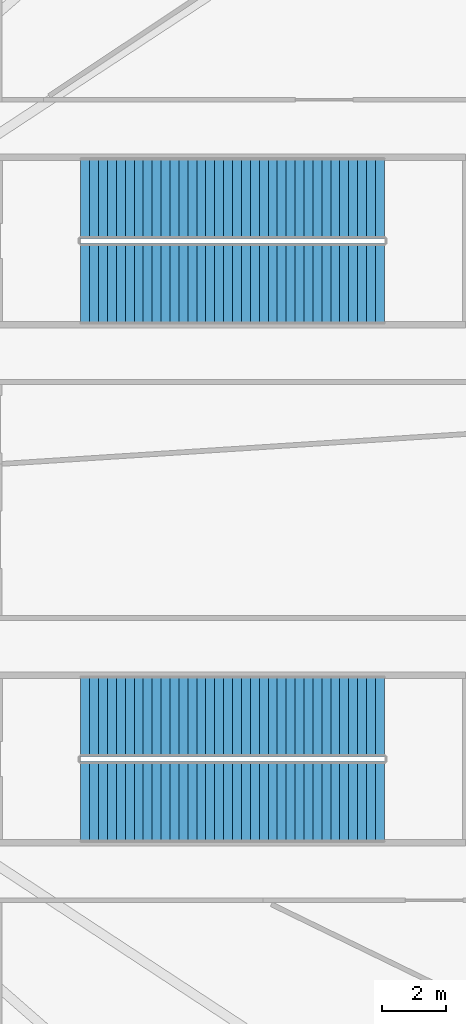
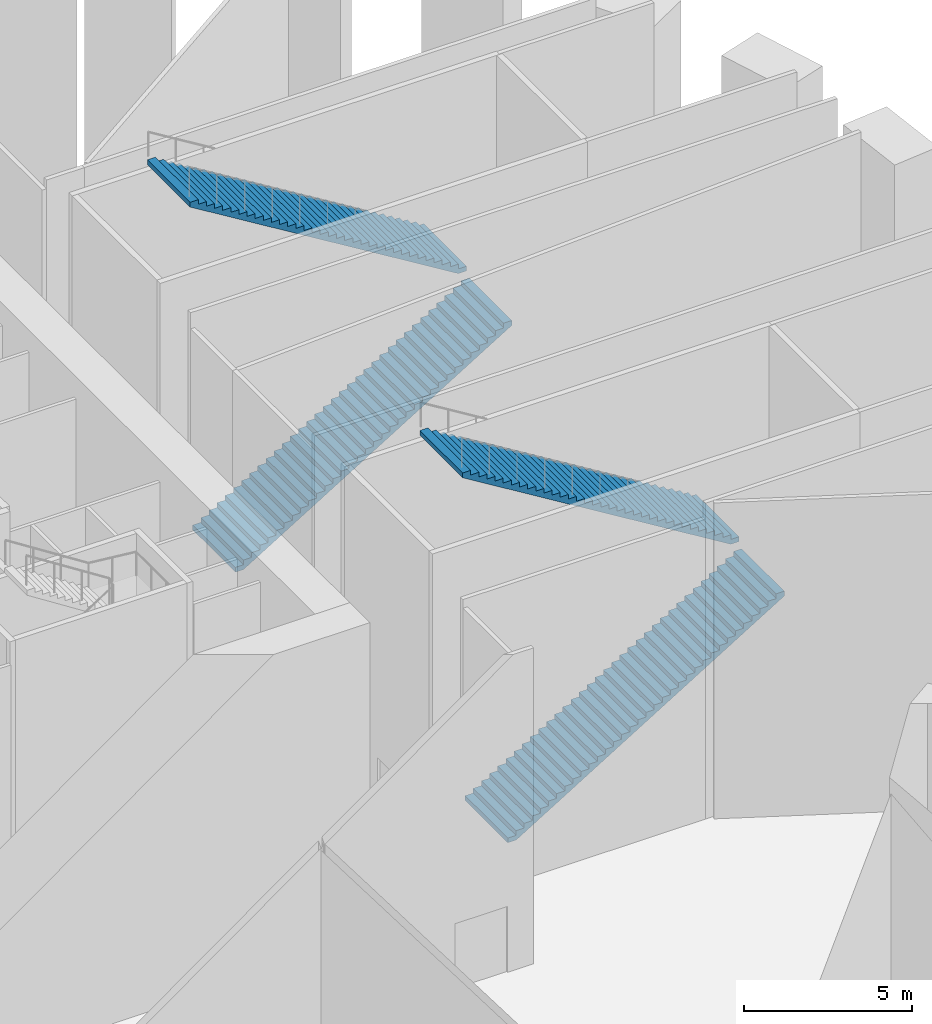
# One storey, part 12 of 21: 4 stair flights, 2 elements without a shape of their own.
"""IFC4 building model written with IfcOpenShell, lengths in metres."""

from ifc_helpers import new_model, si_unit, direction, frame, origin, place, context, subcontext, project, spatial, polyline, outline, extrude, source, transform, mapped, material, type_object, element, aggregate, save


model = new_model("IFC4")

# Units and contexts
model_context = context("Model", 3, precision=1e-05, world=origin(), true_north=direction((0.0, 1.0)))
body_context = subcontext(model_context, "Body", "Model", "MODEL_VIEW")
ifc_project = project(units=[si_unit("LENGTHUNIT", "METRE"), si_unit("AREAUNIT", "SQUARE_METRE"), si_unit("VOLUMEUNIT", "CUBIC_METRE"), si_unit("PLANEANGLEUNIT", "RADIAN"), si_unit("MASSUNIT", "GRAM", prefix="KILO")], contexts=[model_context])

# Site, building, storey
site_placement = place(None, origin())
site = spatial("IfcSite", under=ifc_project, at=site_placement, CompositionType="ELEMENT")
building_placement = place(site_placement, origin())
building = spatial("IfcBuilding", under=site, at=building_placement, Name="Embergate Tower", CompositionType="ELEMENT")
storey_placement = place(building_placement, frame((0.0, 0.0, 12.0)))
storey = spatial("IfcBuildingStorey", under=building, at=storey_placement, Name="L01", CompositionType="ELEMENT", Elevation=12.0)

# Stair, stair flights
ifc_material = material(Name="Concrete C40", Category="concrete")
stair_type = type_object("IfcStairType", Name="Podium exit stair RC", PredefinedType="HALF_TURN_STAIR", material=ifc_material)
stair_1_placement = place(storey_placement, origin())
stair_1 = element("IfcStair", 1, at=stair_1_placement, inside=storey, type_object=stair_type, Name="L01 Podium exit stair 1", PredefinedType="HALF_TURN_STAIR")
stair_flight_type = type_object("IfcStairFlightType", Name="Podium exit stair flight RC", PredefinedType="STRAIGHT", material=ifc_material)
shared_shape = source(origin(), body_context, "Body", "SweptSolid", [
    extrude(outline(polyline([(0.0, 0.0), (0.0, 0.17138671875), (0.280029296875, 0.17138671875), (0.280029296875, 0.3427734375), (0.56005859375, 0.3427734375), (0.56005859375, 0.514404296875), (0.840087890625, 0.514404296875), (0.840087890625, 0.685791015625), (1.1201171875, 0.685791015625), (1.1201171875, 0.857177734375), (1.39990234375, 0.857177734375), (1.39990234375, 1.028564453125), (1.679931640625, 1.028564453125), (1.679931640625, 1.199951171875), (1.9599609375, 1.199951171875), (1.9599609375, 1.371337890625), (2.239990234375, 1.371337890625), (2.239990234375, 1.54296875), (2.52001953125, 1.54296875), (2.52001953125, 1.71435546875), (2.800048828125, 1.71435546875), (2.800048828125, 1.8857421875), (3.080078125, 1.8857421875), (3.080078125, 2.05712890625), (3.360107421875, 2.05712890625), (3.360107421875, 2.228515625), (3.639892578125, 2.228515625), (3.639892578125, 2.39990234375), (3.919921875, 2.39990234375), (3.919921875, 2.571533203125), (4.199951171875, 2.571533203125), (4.199951171875, 2.742919921875), (4.47998046875, 2.742919921875), (4.47998046875, 2.914306640625), (4.760009765625, 2.914306640625), (4.760009765625, 3.085693359375), (5.0400390625, 3.085693359375), (5.0400390625, 3.257080078125), (5.320068359375, 3.257080078125), (5.320068359375, 3.428466796875), (5.60009765625, 3.428466796875), (5.60009765625, 3.60009765625), (5.8798828125, 3.60009765625), (5.8798828125, 3.771484375), (6.159912109375, 3.771484375), (6.159912109375, 3.94287109375), (6.43994140625, 3.94287109375), (6.43994140625, 4.1142578125), (6.719970703125, 4.1142578125), (6.719970703125, 4.28564453125), (7.0, 4.28564453125), (7.0, 4.45703125), (7.280029296875, 4.45703125), (7.280029296875, 4.628662109375), (7.56005859375, 4.628662109375), (7.56005859375, 4.800048828125), (7.840087890625, 4.800048828125), (7.840087890625, 4.971435546875), (8.1201171875, 4.971435546875), (8.1201171875, 5.142822265625), (8.39990234375, 5.142822265625), (8.39990234375, 5.314208984375), (8.679931640625, 5.314208984375), (8.679931640625, 5.485595703125), (8.9599609375, 5.485595703125), (8.9599609375, 5.6572265625), (9.239990234375, 5.6572265625), (9.239990234375, 5.82861328125), (9.52001953125, 5.82861328125), (9.52001953125, 6.0), (9.52001953125, 5.65283203125), (0.287109375, 0.0), (0.0, 0.0)])), frame((0.0, 1.27490234375, 0.0), z_axis=(0.0, -1.0, 0.0), x_axis=(1.0, 0.0, 0.0)), (0.0, 0.0, 1.0), 2.550048828125),
])
stair_flight_1_placement = place(storey_placement, frame((20.050048828125, 6.77490234375, 0.0), z_axis=(0.0, 0.0, 1.0), x_axis=(1.0, 0.0, 0.0)))
stair_flight_1 = element("IfcStairFlight", 2, at=stair_flight_1_placement, type_object=stair_flight_type, Name="P1 flight 1", NumberOfRisers=35, NumberOfTreads=34, PredefinedType="STRAIGHT", RiserHeight=0.171428571, TreadLength=0.28, context=body_context, shape_type="MappedRepresentation", body=[
    mapped(shared_shape, transform((0.0, 0.0, 0.0))),
])
stair_flight_2_placement = place(storey_placement, frame((29.570068359375, 9.47509765625, 6.0), z_axis=(0.0, 0.0, 1.0), x_axis=(-1.0, 0.0, 0.0)))
stair_flight_2 = element("IfcStairFlight", 3, at=stair_flight_2_placement, type_object=stair_flight_type, Name="P1 flight 2", NumberOfRisers=35, NumberOfTreads=34, PredefinedType="STRAIGHT", RiserHeight=0.171428571, TreadLength=0.28, context=body_context, shape_type="MappedRepresentation", body=[
    mapped(shared_shape, transform((0.0, 0.0, 0.0))),
])
aggregate(stair_1, [stair_flight_1, stair_flight_2])

stair_2_placement = place(storey_placement, origin())
stair_2 = element("IfcStair", 4, at=stair_2_placement, inside=storey, type_object=stair_type, Name="L01 Podium exit stair 2", PredefinedType="HALF_TURN_STAIR")
stair_flight_3_placement = place(storey_placement, frame((20.050048828125, -9.47509765625, 0.0), z_axis=(0.0, 0.0, 1.0), x_axis=(1.0, 0.0, 0.0)))
stair_flight_3 = element("IfcStairFlight", 5, at=stair_flight_3_placement, type_object=stair_flight_type, Name="P2 flight 1", NumberOfRisers=35, NumberOfTreads=34, PredefinedType="STRAIGHT", RiserHeight=0.171428571, TreadLength=0.28, context=body_context, shape_type="MappedRepresentation", body=[
    mapped(shared_shape, transform((0.0, 0.0, 0.0))),
])
stair_flight_4_placement = place(storey_placement, frame((29.570068359375, -6.77490234375, 6.0), z_axis=(0.0, 0.0, 1.0), x_axis=(-1.0, 0.0, 0.0)))
stair_flight_4 = element("IfcStairFlight", 6, at=stair_flight_4_placement, type_object=stair_flight_type, Name="P2 flight 2", NumberOfRisers=35, NumberOfTreads=34, PredefinedType="STRAIGHT", RiserHeight=0.171428571, TreadLength=0.28, context=body_context, shape_type="MappedRepresentation", body=[
    mapped(shared_shape, transform((0.0, 0.0, 0.0))),
])
aggregate(stair_2, [stair_flight_3, stair_flight_4])

save(model, "model.ifc")
